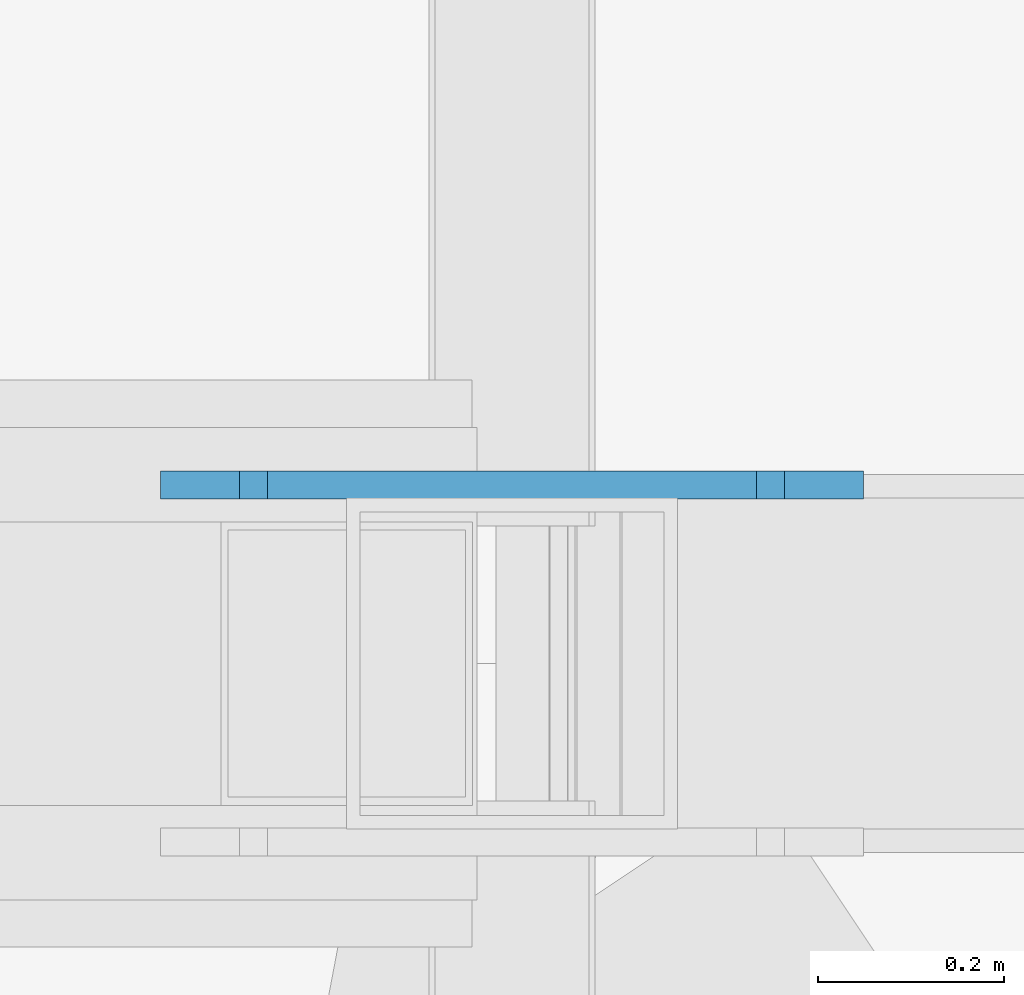
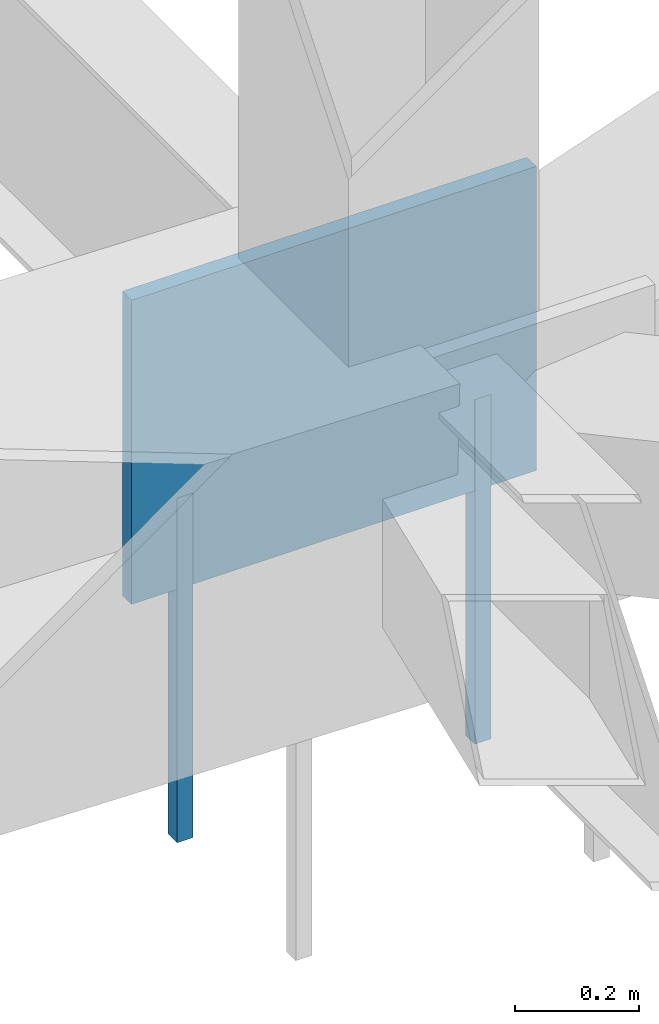
# One storey, part 199 of 278: 2 mechanical fasteners, 1 discrete accessory.
"""IFC4 building model written with IfcOpenShell, lengths in metres."""

from ifc_helpers import new_model, si_unit, direction, frame, origin, origin_2d, place, context, subcontext, project, spatial, rectangle, extrude, material, layer, layer_set, type_object, element, save


model = new_model("IFC4")

# Units and contexts
model_context = context("Model", 3, precision=1e-05, world=origin(), true_north=direction((0.0, 1.0)))
body_context = subcontext(model_context, "Body", "Model", "MODEL_VIEW")
ifc_project = project(units=[si_unit("LENGTHUNIT", "METRE"), si_unit("AREAUNIT", "SQUARE_METRE"), si_unit("VOLUMEUNIT", "CUBIC_METRE"), si_unit("PLANEANGLEUNIT", "RADIAN"), si_unit("MASSUNIT", "GRAM", prefix="KILO")], contexts=[model_context])

# Site, building, storey
site_placement = place(None, origin())
site = spatial("IfcSite", under=ifc_project, at=site_placement, CompositionType="ELEMENT")
building_placement = place(site_placement, origin())
building = spatial("IfcBuilding", under=site, at=building_placement, Name="Ogive Plaza Stadium", CompositionType="ELEMENT")
storey_placement = place(building_placement, frame((0.0, 0.0, 29.0)))
storey = spatial("IfcBuildingStorey", under=building, at=storey_placement, Name="Roof", CompositionType="ELEMENT", Elevation=29.0)

# Mechanical fasteners
ifc_material_1 = material(Name="Steel ASTM A992 Grade 50", Category="steel")
mechanical_fastener_type = type_object("IfcMechanicalFastenerType", Name="Anchor bolt M30 x 600", PredefinedType="ANCHORBOLT", material=ifc_material_1)
for number, where, z_axis, x_axis, name in (
    (1, (74.27783203125, -7.30810546875, -0.5), (0.0, 0.0, 1.0), (1.0, 0.0, 0.0), "ANCHOR BOLT 05 BP 1.1"),
    (2, (73.72216796875, -7.30810546875, -0.5), (0.0, 0.0, 1.0), (1.0, 0.0, 0.0), "ANCHOR BOLT 05 BP 1.2"),
):
    element("IfcMechanicalFastener", number, at=place(storey_placement, frame(where, z_axis=z_axis, x_axis=x_axis)), inside=storey, type_object=mechanical_fastener_type, Name=name, PredefinedType="ANCHORBOLT", context=body_context, shape_type="SweptSolid", body=[
        extrude(rectangle(XDim=0.030029296875, YDim=0.030029296875, at=origin_2d()), origin(), (0.0, 0.0, 1.0), 0.679931640625),
    ])

# Discrete accessory
ifc_material_2 = material(Name="Steel ASTM A992 Grade 50", Category="steel")
ifc_layer = layer(ifc_material_2, 0.030029296875)
ifc_layer_set = layer_set([ifc_layer], Name="Steel ASTM A992 Grade 50")
discrete_accessory_type = type_object("IfcDiscreteAccessoryType", Name="Truss root foot cleat plate 30", PredefinedType="ANCHORPLATE", material=ifc_layer_set)
discrete_accessory_placement = place(storey_placement, frame((74.0, -7.30810546875, 0.0), z_axis=(0.0, 0.0, 1.0), x_axis=(1.0, 0.0, 0.0)))
element("IfcDiscreteAccessory", 3, at=discrete_accessory_placement, inside=storey, type_object=discrete_accessory_type, Name="TRUSS ROOT FOOT CLEAT PLATE 05 1", PredefinedType="ANCHORPLATE", context=body_context, shape_type="SweptSolid", body=[
    extrude(rectangle(XDim=0.755615234375, YDim=0.030029296875, at=origin_2d()), origin(), (0.0, 0.0, 1.0), 0.60009765625),
])

save(model, "model.ifc")
